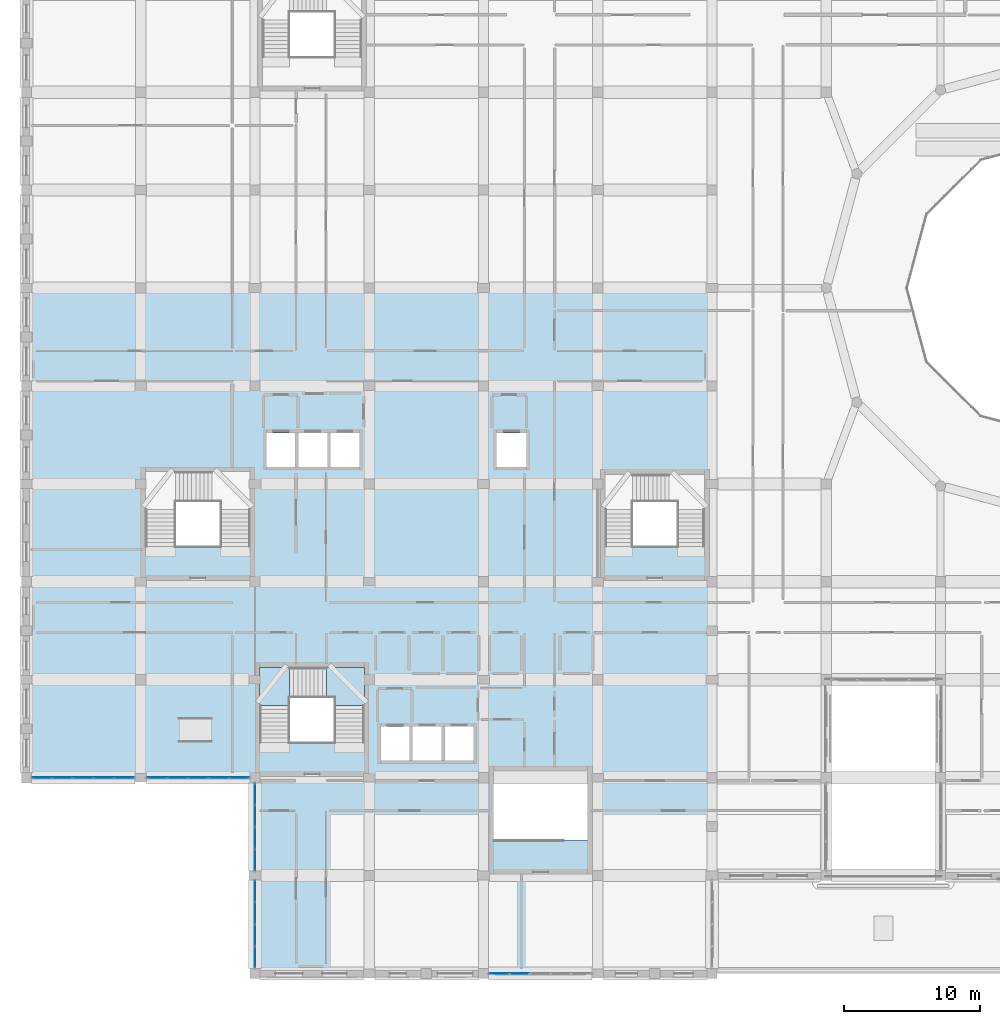
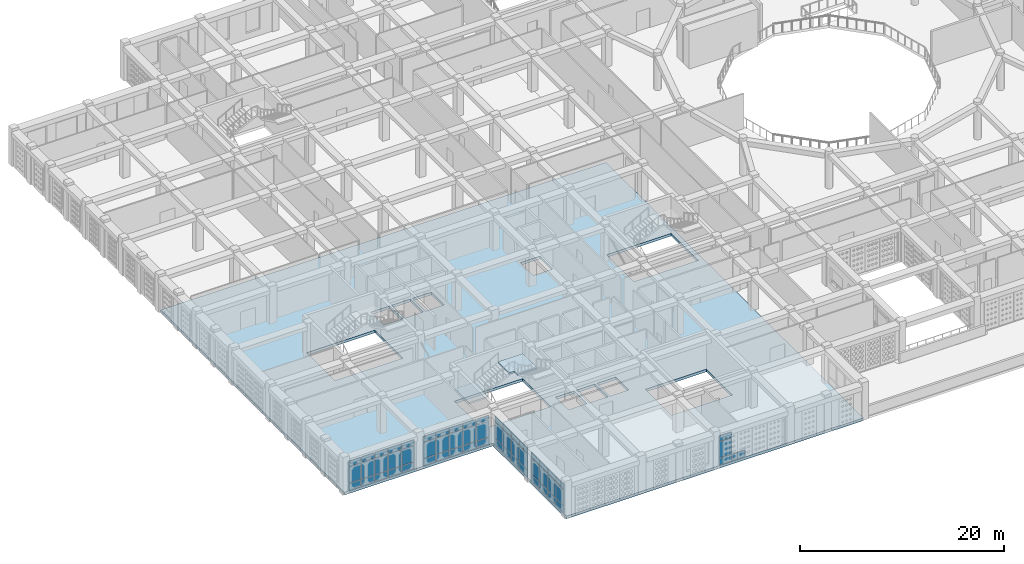
# One storey, part 49 of 111: 58 plates, 3 slabs, 6 elements without a shape of their own.
"""IFC4 building model written with IfcOpenShell, lengths in metres."""

from ifc_helpers import new_model, si_unit, derived_unit, direction, frame, origin, origin_2d, place, context, subcontext, project, spatial, polyline, rectangle, outline, extrude, material, layer, layer_set, type_object, element, aggregate, save


model = new_model("IFC4")

# Units and contexts
model_context = context("Model", 3, precision=1e-05, world=origin(), true_north=direction((0.0, 1.0)))
body_context = subcontext(model_context, "Body", "Model", "MODEL_VIEW")
ifc_project = project(units=[si_unit("LENGTHUNIT", "METRE"), si_unit("AREAUNIT", "SQUARE_METRE"), si_unit("VOLUMEUNIT", "CUBIC_METRE"), si_unit("PLANEANGLEUNIT", "RADIAN"), si_unit("MASSUNIT", "GRAM", prefix="KILO"), derived_unit("THERMALTRANSMITTANCEUNIT", [(si_unit("POWERUNIT", "WATT"), 1), (si_unit("LENGTHUNIT", "METRE"), -2), (si_unit("THERMODYNAMICTEMPERATUREUNIT", "KELVIN"), -1)])], contexts=[model_context])

# Site, building, storey
site_placement = place(None, origin())
site = spatial("IfcSite", under=ifc_project, at=site_placement, CompositionType="ELEMENT")
building_placement = place(site_placement, origin())
building = spatial("IfcBuilding", under=site, at=building_placement, Name="Veybourne Emporium", CompositionType="ELEMENT")
storey_placement = place(building_placement, frame((0.0, 0.0, 9.89990234375)))
storey = spatial("IfcBuildingStorey", under=building, at=storey_placement, Name="L02", CompositionType="ELEMENT", Elevation=9.89990234375)

# Curtain wall, plates
ifc_material_1 = material(Name="Patinated Architectural Bronze", Category="bronze")
curtain_wall_type_1 = type_object("IfcCurtainWallType", Name="CWSystem_CWS-06", PredefinedType="NOTDEFINED", material=ifc_material_1)
curtain_wall_1_placement = place(storey_placement, origin())
curtain_wall_1 = element("IfcCurtainWall", 1, at=curtain_wall_1_placement, inside=storey, type_object=curtain_wall_type_1, Name="L02 bronze glazed curtain wall CWS-06 (001)", PredefinedType="NOTDEFINED")
ifc_material_2 = material(Name="Low-E Triple Glazing", Category="glass")
ifc_layer_1 = layer(ifc_material_2, 0.028076171875)
ifc_layer_set_1 = layer_set([ifc_layer_1], Name="Low-E Triple Glazing")
plate_type = type_object("IfcPlateType", Name="CWPanel_CW-P1", PredefinedType="CURTAIN_PANEL", material=ifc_layer_set_1)
plate_1_placement = place(storey_placement, frame((7.1962890625, 14.39990234375, 0.074951171875), z_axis=(0.0, 0.0, 1.0), x_axis=(-1.0, 0.0, 0.0)))
plate_1 = element("IfcPlate", 2, at=plate_1_placement, type_object=plate_type, Name="CWS-06 panel 1.1", PredefinedType="CURTAIN_PANEL", context=body_context, shape_type="SweptSolid", body=[
    extrude(rectangle(XDim=1.407470703125, YDim=0.028076171875, at=origin_2d()), origin(), (0.0, 0.0, 1.0), 0.78759765625),
])
plate_2_placement = place(storey_placement, frame((7.1962890625, 14.39990234375, 0.9375), z_axis=(0.0, 0.0, 1.0), x_axis=(-1.0, 0.0, 0.0)))
plate_2 = element("IfcPlate", 3, at=plate_2_placement, type_object=plate_type, Name="CWS-06 panel 1.2", PredefinedType="CURTAIN_PANEL", context=body_context, shape_type="SweptSolid", body=[
    extrude(rectangle(XDim=1.407470703125, YDim=0.028076171875, at=origin_2d()), origin(), (0.0, 0.0, 1.0), 1.905029296875),
])
plate_3_placement = place(storey_placement, frame((7.1962890625, 14.39990234375, 2.91748046875), z_axis=(0.0, 0.0, 1.0), x_axis=(-1.0, 0.0, 0.0)))
plate_3 = element("IfcPlate", 4, at=plate_3_placement, type_object=plate_type, Name="CWS-06 panel 1.3", PredefinedType="CURTAIN_PANEL", context=body_context, shape_type="SweptSolid", body=[
    extrude(rectangle(XDim=1.407470703125, YDim=0.028076171875, at=origin_2d()), origin(), (0.0, 0.0, 1.0), 0.637451171875),
])
plate_4_placement = place(storey_placement, frame((5.695068359375, 14.39990234375, 0.074951171875), z_axis=(0.0, 0.0, 1.0), x_axis=(-1.0, 0.0, 0.0)))
plate_4 = element("IfcPlate", 5, at=plate_4_placement, type_object=plate_type, Name="CWS-06 panel 2.1", PredefinedType="CURTAIN_PANEL", context=body_context, shape_type="SweptSolid", body=[
    extrude(rectangle(XDim=1.445068359375, YDim=0.028076171875, at=origin_2d()), origin(), (0.0, 0.0, 1.0), 0.78759765625),
])
plate_5_placement = place(storey_placement, frame((5.695068359375, 14.39990234375, 0.9375), z_axis=(0.0, 0.0, 1.0), x_axis=(-1.0, 0.0, 0.0)))
plate_5 = element("IfcPlate", 6, at=plate_5_placement, type_object=plate_type, Name="CWS-06 panel 2.2", PredefinedType="CURTAIN_PANEL", context=body_context, shape_type="SweptSolid", body=[
    extrude(rectangle(XDim=1.445068359375, YDim=0.028076171875, at=origin_2d()), origin(), (0.0, 0.0, 1.0), 1.905029296875),
])
plate_6_placement = place(storey_placement, frame((5.695068359375, 14.39990234375, 2.91748046875), z_axis=(0.0, 0.0, 1.0), x_axis=(-1.0, 0.0, 0.0)))
plate_6 = element("IfcPlate", 7, at=plate_6_placement, type_object=plate_type, Name="CWS-06 panel 2.3", PredefinedType="CURTAIN_PANEL", context=body_context, shape_type="SweptSolid", body=[
    extrude(rectangle(XDim=1.445068359375, YDim=0.028076171875, at=origin_2d()), origin(), (0.0, 0.0, 1.0), 0.637451171875),
])
plate_7_placement = place(storey_placement, frame((4.175048828125, 14.39990234375, 0.074951171875), z_axis=(0.0, 0.0, 1.0), x_axis=(-1.0, 0.0, 0.0)))
plate_7 = element("IfcPlate", 8, at=plate_7_placement, type_object=plate_type, Name="CWS-06 panel 3.1", PredefinedType="CURTAIN_PANEL", context=body_context, shape_type="SweptSolid", body=[
    extrude(rectangle(XDim=1.445068359375, YDim=0.028076171875, at=origin_2d()), origin(), (0.0, 0.0, 1.0), 0.78759765625),
])
plate_8_placement = place(storey_placement, frame((4.175048828125, 14.39990234375, 0.9375), z_axis=(0.0, 0.0, 1.0), x_axis=(-1.0, 0.0, 0.0)))
plate_8 = element("IfcPlate", 9, at=plate_8_placement, type_object=plate_type, Name="CWS-06 panel 3.2", PredefinedType="CURTAIN_PANEL", context=body_context, shape_type="SweptSolid", body=[
    extrude(rectangle(XDim=1.445068359375, YDim=0.028076171875, at=origin_2d()), origin(), (0.0, 0.0, 1.0), 1.905029296875),
])
plate_9_placement = place(storey_placement, frame((4.175048828125, 14.39990234375, 2.91748046875), z_axis=(0.0, 0.0, 1.0), x_axis=(-1.0, 0.0, 0.0)))
plate_9 = element("IfcPlate", 10, at=plate_9_placement, type_object=plate_type, Name="CWS-06 panel 3.3", PredefinedType="CURTAIN_PANEL", context=body_context, shape_type="SweptSolid", body=[
    extrude(rectangle(XDim=1.445068359375, YDim=0.028076171875, at=origin_2d()), origin(), (0.0, 0.0, 1.0), 0.637451171875),
])
plate_10_placement = place(storey_placement, frame((2.655029296875, 14.39990234375, 0.074951171875), z_axis=(0.0, 0.0, 1.0), x_axis=(-1.0, 0.0, 0.0)))
plate_10 = element("IfcPlate", 11, at=plate_10_placement, type_object=plate_type, Name="CWS-06 panel 4.1", PredefinedType="CURTAIN_PANEL", context=body_context, shape_type="SweptSolid", body=[
    extrude(rectangle(XDim=1.445068359375, YDim=0.028076171875, at=origin_2d()), origin(), (0.0, 0.0, 1.0), 0.78759765625),
])
plate_11_placement = place(storey_placement, frame((2.655029296875, 14.39990234375, 0.9375), z_axis=(0.0, 0.0, 1.0), x_axis=(-1.0, 0.0, 0.0)))
plate_11 = element("IfcPlate", 12, at=plate_11_placement, type_object=plate_type, Name="CWS-06 panel 4.2", PredefinedType="CURTAIN_PANEL", context=body_context, shape_type="SweptSolid", body=[
    extrude(rectangle(XDim=1.445068359375, YDim=0.028076171875, at=origin_2d()), origin(), (0.0, 0.0, 1.0), 1.905029296875),
])
plate_12_placement = place(storey_placement, frame((2.655029296875, 14.39990234375, 2.91748046875), z_axis=(0.0, 0.0, 1.0), x_axis=(-1.0, 0.0, 0.0)))
plate_12 = element("IfcPlate", 13, at=plate_12_placement, type_object=plate_type, Name="CWS-06 panel 4.3", PredefinedType="CURTAIN_PANEL", context=body_context, shape_type="SweptSolid", body=[
    extrude(rectangle(XDim=1.445068359375, YDim=0.028076171875, at=origin_2d()), origin(), (0.0, 0.0, 1.0), 0.637451171875),
])
plate_13_placement = place(storey_placement, frame((1.15380859375, 14.39990234375, 0.074951171875), z_axis=(0.0, 0.0, 1.0), x_axis=(-1.0, 0.0, 0.0)))
plate_13 = element("IfcPlate", 14, at=plate_13_placement, type_object=plate_type, Name="CWS-06 panel 5.1", PredefinedType="CURTAIN_PANEL", context=body_context, shape_type="SweptSolid", body=[
    extrude(rectangle(XDim=1.407470703125, YDim=0.028076171875, at=origin_2d()), origin(), (0.0, 0.0, 1.0), 0.78759765625),
])
plate_14_placement = place(storey_placement, frame((1.15380859375, 14.39990234375, 0.9375), z_axis=(0.0, 0.0, 1.0), x_axis=(-1.0, 0.0, 0.0)))
plate_14 = element("IfcPlate", 15, at=plate_14_placement, type_object=plate_type, Name="CWS-06 panel 5.2", PredefinedType="CURTAIN_PANEL", context=body_context, shape_type="SweptSolid", body=[
    extrude(rectangle(XDim=1.407470703125, YDim=0.028076171875, at=origin_2d()), origin(), (0.0, 0.0, 1.0), 1.905029296875),
])
plate_15_placement = place(storey_placement, frame((1.15380859375, 14.39990234375, 2.91748046875), z_axis=(0.0, 0.0, 1.0), x_axis=(-1.0, 0.0, 0.0)))
plate_15 = element("IfcPlate", 16, at=plate_15_placement, type_object=plate_type, Name="CWS-06 panel 5.3", PredefinedType="CURTAIN_PANEL", context=body_context, shape_type="SweptSolid", body=[
    extrude(rectangle(XDim=1.407470703125, YDim=0.028076171875, at=origin_2d()), origin(), (0.0, 0.0, 1.0), 0.637451171875),
])
aggregate(curtain_wall_1, [plate_1, plate_2, plate_3, plate_4, plate_5, plate_6, plate_7, plate_8, plate_9, plate_10, plate_11, plate_12, plate_13, plate_14, plate_15])

curtain_wall_type_2 = type_object("IfcCurtainWallType", Name="CWSystem_CWS-07", PredefinedType="NOTDEFINED", material=ifc_material_1)
curtain_wall_2_placement = place(storey_placement, origin())
curtain_wall_2 = element("IfcCurtainWall", 17, at=curtain_wall_2_placement, inside=storey, type_object=curtain_wall_type_2, Name="L02 bronze glazed curtain wall CWS-07 (012)", PredefinedType="NOTDEFINED")
plate_16_placement = place(storey_placement, frame((15.6455078125, 14.39990234375, 0.078125), z_axis=(0.0, 0.0, 1.0), x_axis=(-1.0, 0.0, 0.0)))
plate_16 = element("IfcPlate", 18, at=plate_16_placement, type_object=plate_type, Name="CWS-07 panel 1.1", PredefinedType="CURTAIN_PANEL", context=body_context, shape_type="SweptSolid", body=[
    extrude(rectangle(XDim=1.403076171875, YDim=0.028076171875, at=origin_2d()), origin(), (0.0, 0.0, 1.0), 0.782958984375),
])
plate_17_placement = place(storey_placement, frame((15.6455078125, 14.39990234375, 0.93896484375), z_axis=(0.0, 0.0, 1.0), x_axis=(-1.0, 0.0, 0.0)))
plate_17 = element("IfcPlate", 19, at=plate_17_placement, type_object=plate_type, Name="CWS-07 panel 1.2", PredefinedType="CURTAIN_PANEL", context=body_context, shape_type="SweptSolid", body=[
    extrude(rectangle(XDim=1.403076171875, YDim=0.028076171875, at=origin_2d()), origin(), (0.0, 0.0, 1.0), 1.902099609375),
])
plate_18_placement = place(storey_placement, frame((15.6455078125, 14.39990234375, 2.9189453125), z_axis=(0.0, 0.0, 1.0), x_axis=(-1.0, 0.0, 0.0)))
plate_18 = element("IfcPlate", 20, at=plate_18_placement, type_object=plate_type, Name="CWS-07 panel 1.3", PredefinedType="CURTAIN_PANEL", context=body_context, shape_type="SweptSolid", body=[
    extrude(rectangle(XDim=1.403076171875, YDim=0.028076171875, at=origin_2d()), origin(), (0.0, 0.0, 1.0), 0.633056640625),
])
plate_19_placement = place(storey_placement, frame((14.14501953125, 14.39990234375, 0.078125), z_axis=(0.0, 0.0, 1.0), x_axis=(-1.0, 0.0, 0.0)))
plate_19 = element("IfcPlate", 21, at=plate_19_placement, type_object=plate_type, Name="CWS-07 panel 2.1", PredefinedType="CURTAIN_PANEL", context=body_context, shape_type="SweptSolid", body=[
    extrude(rectangle(XDim=1.44189453125, YDim=0.028076171875, at=origin_2d()), origin(), (0.0, 0.0, 1.0), 0.782958984375),
])
plate_20_placement = place(storey_placement, frame((14.14501953125, 14.39990234375, 0.93896484375), z_axis=(0.0, 0.0, 1.0), x_axis=(-1.0, 0.0, 0.0)))
plate_20 = element("IfcPlate", 22, at=plate_20_placement, type_object=plate_type, Name="CWS-07 panel 2.2", PredefinedType="CURTAIN_PANEL", context=body_context, shape_type="SweptSolid", body=[
    extrude(rectangle(XDim=1.44189453125, YDim=0.028076171875, at=origin_2d()), origin(), (0.0, 0.0, 1.0), 1.902099609375),
])
plate_21_placement = place(storey_placement, frame((14.14501953125, 14.39990234375, 2.9189453125), z_axis=(0.0, 0.0, 1.0), x_axis=(-1.0, 0.0, 0.0)))
plate_21 = element("IfcPlate", 23, at=plate_21_placement, type_object=plate_type, Name="CWS-07 panel 2.3", PredefinedType="CURTAIN_PANEL", context=body_context, shape_type="SweptSolid", body=[
    extrude(rectangle(XDim=1.44189453125, YDim=0.028076171875, at=origin_2d()), origin(), (0.0, 0.0, 1.0), 0.633056640625),
])
plate_22_placement = place(storey_placement, frame((12.625, 14.39990234375, 0.078125), z_axis=(0.0, 0.0, 1.0), x_axis=(-1.0, 0.0, 0.0)))
plate_22 = element("IfcPlate", 24, at=plate_22_placement, type_object=plate_type, Name="CWS-07 panel 3.1", PredefinedType="CURTAIN_PANEL", context=body_context, shape_type="SweptSolid", body=[
    extrude(rectangle(XDim=1.44189453125, YDim=0.028076171875, at=origin_2d()), origin(), (0.0, 0.0, 1.0), 0.782958984375),
])
plate_23_placement = place(storey_placement, frame((12.625, 14.39990234375, 0.93896484375), z_axis=(0.0, 0.0, 1.0), x_axis=(-1.0, 0.0, 0.0)))
plate_23 = element("IfcPlate", 25, at=plate_23_placement, type_object=plate_type, Name="CWS-07 panel 3.2", PredefinedType="CURTAIN_PANEL", context=body_context, shape_type="SweptSolid", body=[
    extrude(rectangle(XDim=1.44189453125, YDim=0.028076171875, at=origin_2d()), origin(), (0.0, 0.0, 1.0), 1.902099609375),
])
plate_24_placement = place(storey_placement, frame((12.625, 14.39990234375, 2.9189453125), z_axis=(0.0, 0.0, 1.0), x_axis=(-1.0, 0.0, 0.0)))
plate_24 = element("IfcPlate", 26, at=plate_24_placement, type_object=plate_type, Name="CWS-07 panel 3.3", PredefinedType="CURTAIN_PANEL", context=body_context, shape_type="SweptSolid", body=[
    extrude(rectangle(XDim=1.44189453125, YDim=0.028076171875, at=origin_2d()), origin(), (0.0, 0.0, 1.0), 0.633056640625),
])
plate_25_placement = place(storey_placement, frame((11.10498046875, 14.39990234375, 0.078125), z_axis=(0.0, 0.0, 1.0), x_axis=(-1.0, 0.0, 0.0)))
plate_25 = element("IfcPlate", 27, at=plate_25_placement, type_object=plate_type, Name="CWS-07 panel 4.1", PredefinedType="CURTAIN_PANEL", context=body_context, shape_type="SweptSolid", body=[
    extrude(rectangle(XDim=1.44189453125, YDim=0.028076171875, at=origin_2d()), origin(), (0.0, 0.0, 1.0), 0.782958984375),
])
plate_26_placement = place(storey_placement, frame((11.10498046875, 14.39990234375, 0.93896484375), z_axis=(0.0, 0.0, 1.0), x_axis=(-1.0, 0.0, 0.0)))
plate_26 = element("IfcPlate", 28, at=plate_26_placement, type_object=plate_type, Name="CWS-07 panel 4.2", PredefinedType="CURTAIN_PANEL", context=body_context, shape_type="SweptSolid", body=[
    extrude(rectangle(XDim=1.44189453125, YDim=0.028076171875, at=origin_2d()), origin(), (0.0, 0.0, 1.0), 1.902099609375),
])
plate_27_placement = place(storey_placement, frame((11.10498046875, 14.39990234375, 2.9189453125), z_axis=(0.0, 0.0, 1.0), x_axis=(-1.0, 0.0, 0.0)))
plate_27 = element("IfcPlate", 29, at=plate_27_placement, type_object=plate_type, Name="CWS-07 panel 4.3", PredefinedType="CURTAIN_PANEL", context=body_context, shape_type="SweptSolid", body=[
    extrude(rectangle(XDim=1.44189453125, YDim=0.028076171875, at=origin_2d()), origin(), (0.0, 0.0, 1.0), 0.633056640625),
])
plate_28_placement = place(storey_placement, frame((9.6044921875, 14.39990234375, 0.078125), z_axis=(0.0, 0.0, 1.0), x_axis=(-1.0, 0.0, 0.0)))
plate_28 = element("IfcPlate", 30, at=plate_28_placement, type_object=plate_type, Name="CWS-07 panel 5.1", PredefinedType="CURTAIN_PANEL", context=body_context, shape_type="SweptSolid", body=[
    extrude(rectangle(XDim=1.403076171875, YDim=0.028076171875, at=origin_2d()), origin(), (0.0, 0.0, 1.0), 0.782958984375),
])
plate_29_placement = place(storey_placement, frame((9.6044921875, 14.39990234375, 0.93896484375), z_axis=(0.0, 0.0, 1.0), x_axis=(-1.0, 0.0, 0.0)))
plate_29 = element("IfcPlate", 31, at=plate_29_placement, type_object=plate_type, Name="CWS-07 panel 5.2", PredefinedType="CURTAIN_PANEL", context=body_context, shape_type="SweptSolid", body=[
    extrude(rectangle(XDim=1.403076171875, YDim=0.028076171875, at=origin_2d()), origin(), (0.0, 0.0, 1.0), 1.902099609375),
])
plate_30_placement = place(storey_placement, frame((9.6044921875, 14.39990234375, 2.9189453125), z_axis=(0.0, 0.0, 1.0), x_axis=(-1.0, 0.0, 0.0)))
plate_30 = element("IfcPlate", 32, at=plate_30_placement, type_object=plate_type, Name="CWS-07 panel 5.3", PredefinedType="CURTAIN_PANEL", context=body_context, shape_type="SweptSolid", body=[
    extrude(rectangle(XDim=1.403076171875, YDim=0.028076171875, at=origin_2d()), origin(), (0.0, 0.0, 1.0), 0.633056640625),
])
aggregate(curtain_wall_2, [plate_16, plate_17, plate_18, plate_19, plate_20, plate_21, plate_22, plate_23, plate_24, plate_25, plate_26, plate_27, plate_28, plate_29, plate_30])

curtain_wall_type_3 = type_object("IfcCurtainWallType", Name="CWSystem_CWS-08", PredefinedType="NOTDEFINED", material=ifc_material_1)
curtain_wall_3_placement = place(storey_placement, origin())
curtain_wall_3 = element("IfcCurtainWall", 33, at=curtain_wall_3_placement, inside=storey, type_object=curtain_wall_type_3, Name="L02 bronze glazed curtain wall CWS-08 (015)", PredefinedType="NOTDEFINED")
plate_31_placement = place(storey_placement, frame((16.800048828125, 1.205078125, 0.070068359375), z_axis=(0.0, 0.0, 1.0), x_axis=(0.0, 1.0, 0.0)))
plate_31 = element("IfcPlate", 34, at=plate_31_placement, type_object=plate_type, Name="CWS-08 panel 1.1", PredefinedType="CURTAIN_PANEL", context=body_context, shape_type="SweptSolid", body=[
    extrude(rectangle(XDim=1.52001953125, YDim=0.028076171875, at=origin_2d()), origin(), (0.0, 0.0, 1.0), 0.794921875),
])
plate_32_placement = place(storey_placement, frame((16.800048828125, 1.205078125, 0.93505859375), z_axis=(0.0, 0.0, 1.0), x_axis=(0.0, 1.0, 0.0)))
plate_32 = element("IfcPlate", 35, at=plate_32_placement, type_object=plate_type, Name="CWS-08 panel 1.2", PredefinedType="CURTAIN_PANEL", context=body_context, shape_type="SweptSolid", body=[
    extrude(rectangle(XDim=1.52001953125, YDim=0.028076171875, at=origin_2d()), origin(), (0.0, 0.0, 1.0), 1.909912109375),
])
plate_33_placement = place(storey_placement, frame((16.800048828125, 1.205078125, 2.9150390625), z_axis=(0.0, 0.0, 1.0), x_axis=(0.0, 1.0, 0.0)))
plate_33 = element("IfcPlate", 36, at=plate_33_placement, type_object=plate_type, Name="CWS-08 panel 1.3", PredefinedType="CURTAIN_PANEL", context=body_context, shape_type="SweptSolid", body=[
    extrude(rectangle(XDim=1.52001953125, YDim=0.028076171875, at=origin_2d()), origin(), (0.0, 0.0, 1.0), 0.64501953125),
])
plate_34_placement = place(storey_placement, frame((16.800048828125, 2.8125, 0.070068359375), z_axis=(0.0, 0.0, 1.0), x_axis=(0.0, 1.0, 0.0)))
plate_34 = element("IfcPlate", 37, at=plate_34_placement, type_object=plate_type, Name="CWS-08 panel 2.1", PredefinedType="CURTAIN_PANEL", context=body_context, shape_type="SweptSolid", body=[
    extrude(rectangle(XDim=1.554931640625, YDim=0.028076171875, at=origin_2d()), origin(), (0.0, 0.0, 1.0), 0.794921875),
])
plate_35_placement = place(storey_placement, frame((16.800048828125, 2.8125, 0.93505859375), z_axis=(0.0, 0.0, 1.0), x_axis=(0.0, 1.0, 0.0)))
plate_35 = element("IfcPlate", 38, at=plate_35_placement, type_object=plate_type, Name="CWS-08 panel 2.2", PredefinedType="CURTAIN_PANEL", context=body_context, shape_type="SweptSolid", body=[
    extrude(rectangle(XDim=1.554931640625, YDim=0.028076171875, at=origin_2d()), origin(), (0.0, 0.0, 1.0), 1.909912109375),
])
plate_36_placement = place(storey_placement, frame((16.800048828125, 2.8125, 2.9150390625), z_axis=(0.0, 0.0, 1.0), x_axis=(0.0, 1.0, 0.0)))
plate_36 = element("IfcPlate", 39, at=plate_36_placement, type_object=plate_type, Name="CWS-08 panel 2.3", PredefinedType="CURTAIN_PANEL", context=body_context, shape_type="SweptSolid", body=[
    extrude(rectangle(XDim=1.554931640625, YDim=0.028076171875, at=origin_2d()), origin(), (0.0, 0.0, 1.0), 0.64501953125),
])
plate_37_placement = place(storey_placement, frame((16.800048828125, 4.4375, 0.070068359375), z_axis=(0.0, 0.0, 1.0), x_axis=(0.0, 1.0, 0.0)))
plate_37 = element("IfcPlate", 40, at=plate_37_placement, type_object=plate_type, Name="CWS-08 panel 3.1", PredefinedType="CURTAIN_PANEL", context=body_context, shape_type="SweptSolid", body=[
    extrude(rectangle(XDim=1.554931640625, YDim=0.028076171875, at=origin_2d()), origin(), (0.0, 0.0, 1.0), 0.794921875),
])
plate_38_placement = place(storey_placement, frame((16.800048828125, 4.4375, 0.93505859375), z_axis=(0.0, 0.0, 1.0), x_axis=(0.0, 1.0, 0.0)))
plate_38 = element("IfcPlate", 41, at=plate_38_placement, type_object=plate_type, Name="CWS-08 panel 3.2", PredefinedType="CURTAIN_PANEL", context=body_context, shape_type="SweptSolid", body=[
    extrude(rectangle(XDim=1.554931640625, YDim=0.028076171875, at=origin_2d()), origin(), (0.0, 0.0, 1.0), 1.909912109375),
])
plate_39_placement = place(storey_placement, frame((16.800048828125, 4.4375, 2.9150390625), z_axis=(0.0, 0.0, 1.0), x_axis=(0.0, 1.0, 0.0)))
plate_39 = element("IfcPlate", 42, at=plate_39_placement, type_object=plate_type, Name="CWS-08 panel 3.3", PredefinedType="CURTAIN_PANEL", context=body_context, shape_type="SweptSolid", body=[
    extrude(rectangle(XDim=1.554931640625, YDim=0.028076171875, at=origin_2d()), origin(), (0.0, 0.0, 1.0), 0.64501953125),
])
plate_40_placement = place(storey_placement, frame((16.800048828125, 6.044921875, 0.070068359375), z_axis=(0.0, 0.0, 1.0), x_axis=(0.0, 1.0, 0.0)))
plate_40 = element("IfcPlate", 43, at=plate_40_placement, type_object=plate_type, Name="CWS-08 panel 4.1", PredefinedType="CURTAIN_PANEL", context=body_context, shape_type="SweptSolid", body=[
    extrude(rectangle(XDim=1.52001953125, YDim=0.028076171875, at=origin_2d()), origin(), (0.0, 0.0, 1.0), 0.794921875),
])
plate_41_placement = place(storey_placement, frame((16.800048828125, 6.044921875, 0.93505859375), z_axis=(0.0, 0.0, 1.0), x_axis=(0.0, 1.0, 0.0)))
plate_41 = element("IfcPlate", 44, at=plate_41_placement, type_object=plate_type, Name="CWS-08 panel 4.2", PredefinedType="CURTAIN_PANEL", context=body_context, shape_type="SweptSolid", body=[
    extrude(rectangle(XDim=1.52001953125, YDim=0.028076171875, at=origin_2d()), origin(), (0.0, 0.0, 1.0), 1.909912109375),
])
plate_42_placement = place(storey_placement, frame((16.800048828125, 6.044921875, 2.9150390625), z_axis=(0.0, 0.0, 1.0), x_axis=(0.0, 1.0, 0.0)))
plate_42 = element("IfcPlate", 45, at=plate_42_placement, type_object=plate_type, Name="CWS-08 panel 4.3", PredefinedType="CURTAIN_PANEL", context=body_context, shape_type="SweptSolid", body=[
    extrude(rectangle(XDim=1.52001953125, YDim=0.028076171875, at=origin_2d()), origin(), (0.0, 0.0, 1.0), 0.64501953125),
])
aggregate(curtain_wall_3, [plate_31, plate_32, plate_33, plate_34, plate_35, plate_36, plate_37, plate_38, plate_39, plate_40, plate_41, plate_42])

curtain_wall_type_4 = type_object("IfcCurtainWallType", Name="CWSystem_CWS-09", PredefinedType="NOTDEFINED", material=ifc_material_1)
curtain_wall_4_placement = place(storey_placement, origin())
curtain_wall_4 = element("IfcCurtainWall", 46, at=curtain_wall_4_placement, inside=storey, type_object=curtain_wall_type_4, Name="L02 bronze glazed curtain wall CWS-09 (016)", PredefinedType="NOTDEFINED")
plate_43_placement = place(storey_placement, frame((16.800048828125, 8.35546875, 0.072021484375), z_axis=(0.0, 0.0, 1.0), x_axis=(0.0, 1.0, 0.0)))
plate_43 = element("IfcPlate", 47, at=plate_43_placement, type_object=plate_type, Name="CWS-09 panel 1.1", PredefinedType="CURTAIN_PANEL", context=body_context, shape_type="SweptSolid", body=[
    extrude(rectangle(XDim=1.51708984375, YDim=0.028076171875, at=origin_2d()), origin(), (0.0, 0.0, 1.0), 0.7919921875),
])
plate_44_placement = place(storey_placement, frame((16.800048828125, 8.35546875, 0.93603515625), z_axis=(0.0, 0.0, 1.0), x_axis=(0.0, 1.0, 0.0)))
plate_44 = element("IfcPlate", 48, at=plate_44_placement, type_object=plate_type, Name="CWS-09 panel 1.2", PredefinedType="CURTAIN_PANEL", context=body_context, shape_type="SweptSolid", body=[
    extrude(rectangle(XDim=1.51708984375, YDim=0.028076171875, at=origin_2d()), origin(), (0.0, 0.0, 1.0), 1.907958984375),
])
plate_45_placement = place(storey_placement, frame((16.800048828125, 8.35546875, 2.916015625), z_axis=(0.0, 0.0, 1.0), x_axis=(0.0, 1.0, 0.0)))
plate_45 = element("IfcPlate", 49, at=plate_45_placement, type_object=plate_type, Name="CWS-09 panel 1.3", PredefinedType="CURTAIN_PANEL", context=body_context, shape_type="SweptSolid", body=[
    extrude(rectangle(XDim=1.51708984375, YDim=0.028076171875, at=origin_2d()), origin(), (0.0, 0.0, 1.0), 0.64208984375),
])
plate_46_placement = place(storey_placement, frame((16.800048828125, 9.96240234375, 0.072021484375), z_axis=(0.0, 0.0, 1.0), x_axis=(0.0, 1.0, 0.0)))
plate_46 = element("IfcPlate", 50, at=plate_46_placement, type_object=plate_type, Name="CWS-09 panel 2.1", PredefinedType="CURTAIN_PANEL", context=body_context, shape_type="SweptSolid", body=[
    extrude(rectangle(XDim=1.552978515625, YDim=0.028076171875, at=origin_2d()), origin(), (0.0, 0.0, 1.0), 0.7919921875),
])
plate_47_placement = place(storey_placement, frame((16.800048828125, 9.96240234375, 0.93603515625), z_axis=(0.0, 0.0, 1.0), x_axis=(0.0, 1.0, 0.0)))
plate_47 = element("IfcPlate", 51, at=plate_47_placement, type_object=plate_type, Name="CWS-09 panel 2.2", PredefinedType="CURTAIN_PANEL", context=body_context, shape_type="SweptSolid", body=[
    extrude(rectangle(XDim=1.552978515625, YDim=0.028076171875, at=origin_2d()), origin(), (0.0, 0.0, 1.0), 1.907958984375),
])
plate_48_placement = place(storey_placement, frame((16.800048828125, 9.96240234375, 2.916015625), z_axis=(0.0, 0.0, 1.0), x_axis=(0.0, 1.0, 0.0)))
plate_48 = element("IfcPlate", 52, at=plate_48_placement, type_object=plate_type, Name="CWS-09 panel 2.3", PredefinedType="CURTAIN_PANEL", context=body_context, shape_type="SweptSolid", body=[
    extrude(rectangle(XDim=1.552978515625, YDim=0.028076171875, at=origin_2d()), origin(), (0.0, 0.0, 1.0), 0.64208984375),
])
plate_49_placement = place(storey_placement, frame((16.800048828125, 11.58740234375, 0.072021484375), z_axis=(0.0, 0.0, 1.0), x_axis=(0.0, 1.0, 0.0)))
plate_49 = element("IfcPlate", 53, at=plate_49_placement, type_object=plate_type, Name="CWS-09 panel 3.1", PredefinedType="CURTAIN_PANEL", context=body_context, shape_type="SweptSolid", body=[
    extrude(rectangle(XDim=1.552978515625, YDim=0.028076171875, at=origin_2d()), origin(), (0.0, 0.0, 1.0), 0.7919921875),
])
plate_50_placement = place(storey_placement, frame((16.800048828125, 11.58740234375, 0.93603515625), z_axis=(0.0, 0.0, 1.0), x_axis=(0.0, 1.0, 0.0)))
plate_50 = element("IfcPlate", 54, at=plate_50_placement, type_object=plate_type, Name="CWS-09 panel 3.2", PredefinedType="CURTAIN_PANEL", context=body_context, shape_type="SweptSolid", body=[
    extrude(rectangle(XDim=1.552978515625, YDim=0.028076171875, at=origin_2d()), origin(), (0.0, 0.0, 1.0), 1.907958984375),
])
plate_51_placement = place(storey_placement, frame((16.800048828125, 11.58740234375, 2.916015625), z_axis=(0.0, 0.0, 1.0), x_axis=(0.0, 1.0, 0.0)))
plate_51 = element("IfcPlate", 55, at=plate_51_placement, type_object=plate_type, Name="CWS-09 panel 3.3", PredefinedType="CURTAIN_PANEL", context=body_context, shape_type="SweptSolid", body=[
    extrude(rectangle(XDim=1.552978515625, YDim=0.028076171875, at=origin_2d()), origin(), (0.0, 0.0, 1.0), 0.64208984375),
])
plate_52_placement = place(storey_placement, frame((16.800048828125, 13.194580078125, 0.072021484375), z_axis=(0.0, 0.0, 1.0), x_axis=(0.0, 1.0, 0.0)))
plate_52 = element("IfcPlate", 56, at=plate_52_placement, type_object=plate_type, Name="CWS-09 panel 4.1", PredefinedType="CURTAIN_PANEL", context=body_context, shape_type="SweptSolid", body=[
    extrude(rectangle(XDim=1.51708984375, YDim=0.028076171875, at=origin_2d()), origin(), (0.0, 0.0, 1.0), 0.7919921875),
])
plate_53_placement = place(storey_placement, frame((16.800048828125, 13.194580078125, 0.93603515625), z_axis=(0.0, 0.0, 1.0), x_axis=(0.0, 1.0, 0.0)))
plate_53 = element("IfcPlate", 57, at=plate_53_placement, type_object=plate_type, Name="CWS-09 panel 4.2", PredefinedType="CURTAIN_PANEL", context=body_context, shape_type="SweptSolid", body=[
    extrude(rectangle(XDim=1.51708984375, YDim=0.028076171875, at=origin_2d()), origin(), (0.0, 0.0, 1.0), 1.907958984375),
])
plate_54_placement = place(storey_placement, frame((16.800048828125, 13.194580078125, 2.916015625), z_axis=(0.0, 0.0, 1.0), x_axis=(0.0, 1.0, 0.0)))
plate_54 = element("IfcPlate", 58, at=plate_54_placement, type_object=plate_type, Name="CWS-09 panel 4.3", PredefinedType="CURTAIN_PANEL", context=body_context, shape_type="SweptSolid", body=[
    extrude(rectangle(XDim=1.51708984375, YDim=0.028076171875, at=origin_2d()), origin(), (0.0, 0.0, 1.0), 0.64208984375),
])
aggregate(curtain_wall_4, [plate_43, plate_44, plate_45, plate_46, plate_47, plate_48, plate_49, plate_50, plate_51, plate_52, plate_53, plate_54])

curtain_wall_type_5 = type_object("IfcCurtainWallType", Name="CWSystem_CWS-11", PredefinedType="NOTDEFINED", material=ifc_material_1)
curtain_wall_5_placement = place(storey_placement, origin())
curtain_wall_5 = element("IfcCurtainWall", 59, at=curtain_wall_5_placement, inside=storey, type_object=curtain_wall_type_5, Name="L02 bronze glazed curtain wall CWS-11 (021)", PredefinedType="NOTDEFINED")
plate_55_placement = place(storey_placement, frame((36.2548828125, 0.0, 0.078125), z_axis=(0.0, 0.0, 1.0), x_axis=(-1.0, 0.0, 0.0)))
plate_55 = element("IfcPlate", 60, at=plate_55_placement, type_object=plate_type, Name="CWS-11 panel 4.1", PredefinedType="CURTAIN_PANEL", context=body_context, shape_type="SweptSolid", body=[
    extrude(rectangle(XDim=1.44189453125, YDim=0.028076171875, at=origin_2d()), origin(), (0.0, 0.0, 1.0), 0.782958984375),
])
plate_56_placement = place(storey_placement, frame((34.75439453125, 0.0, 0.078125), z_axis=(0.0, 0.0, 1.0), x_axis=(-1.0, 0.0, 0.0)))
plate_56 = element("IfcPlate", 61, at=plate_56_placement, type_object=plate_type, Name="CWS-11 panel 5.1", PredefinedType="CURTAIN_PANEL", context=body_context, shape_type="SweptSolid", body=[
    extrude(rectangle(XDim=1.403076171875, YDim=0.028076171875, at=origin_2d()), origin(), (0.0, 0.0, 1.0), 0.782958984375),
])
plate_57_placement = place(storey_placement, frame((34.75439453125, 0.0, 0.93896484375), z_axis=(0.0, 0.0, 1.0), x_axis=(-1.0, 0.0, 0.0)))
plate_57 = element("IfcPlate", 62, at=plate_57_placement, type_object=plate_type, Name="CWS-11 panel 5.2", PredefinedType="CURTAIN_PANEL", context=body_context, shape_type="SweptSolid", body=[
    extrude(rectangle(XDim=1.403076171875, YDim=0.028076171875, at=origin_2d()), origin(), (0.0, 0.0, 1.0), 1.902099609375),
])
plate_58_placement = place(storey_placement, frame((34.75439453125, 0.0, 2.9189453125), z_axis=(0.0, 0.0, 1.0), x_axis=(-1.0, 0.0, 0.0)))
plate_58 = element("IfcPlate", 63, at=plate_58_placement, type_object=plate_type, Name="CWS-11 panel 5.3", PredefinedType="CURTAIN_PANEL", context=body_context, shape_type="SweptSolid", body=[
    extrude(rectangle(XDim=1.403076171875, YDim=0.028076171875, at=origin_2d()), origin(), (0.0, 0.0, 1.0), 0.633056640625),
])
aggregate(curtain_wall_5, [plate_55, plate_56, plate_57, plate_58])

# Stair, slabs
ifc_material_3 = material(Name="Concrete C32/40", Category="concrete")
stair_type = type_object("IfcStairType", Name="Stair_ST-01-R30", PredefinedType="TWO_QUARTER_TURN_STAIR", material=ifc_material_3)
stair_placement = place(storey_placement, origin())
stair = element("IfcStair", 64, at=stair_placement, inside=storey, type_object=stair_type, Name="L02 stair ST-01", PredefinedType="TWO_QUARTER_TURN_STAIR")
ifc_layer_2 = layer(ifc_material_3, 0.199951171875)
ifc_layer_set_2 = layer_set([ifc_layer_2], Name="Concrete C32/40")
slab_type_1 = type_object("IfcSlabType", Name="Landing_LDG-01", PredefinedType="LANDING", material=ifc_layer_set_2)
slab_1_placement = place(storey_placement, frame((0.0, 0.0, 1.300048828125)))
slab_1 = element("IfcSlab", 65, at=slab_1_placement, type_object=slab_type_1, Name="ST-01-R30 landing 1", PredefinedType="LANDING", context=body_context, shape_type="SweptSolid", body=[
    extrude(outline(polyline([(17.14990234375, 19.699951171875), (19.35009765625, 19.699951171875), (19.35009765625, 22.5), (17.14990234375, 22.5), (17.14990234375, 19.699951171875)])), origin(), (0.0, 0.0, 1.0), 0.199951171875),
])
slab_2_placement = place(storey_placement, frame((0.0, 0.0, 2.800048828125)))
slab_2 = element("IfcSlab", 66, at=slab_2_placement, type_object=slab_type_1, Name="ST-01-R30 landing 2", PredefinedType="LANDING", context=body_context, shape_type="SweptSolid", body=[
    extrude(outline(polyline([(22.050048828125, 20.300048828125), (22.64990234375, 20.300048828125), (22.64990234375, 19.699951171875), (24.85009765625, 19.699951171875), (24.85009765625, 22.5), (22.050048828125, 22.5), (22.050048828125, 20.300048828125)])), origin(), (0.0, 0.0, 1.0), 0.199951171875),
])
aggregate(stair, [slab_1, slab_2])

# Slab
ifc_layer_3 = layer(ifc_material_3, 0.320068359375)
ifc_layer_set_3 = layer_set([ifc_layer_3], Name="Concrete C32/40")
slab_type_2 = type_object("IfcSlabType", Name="Slab_FS-02", PredefinedType="FLOOR", material=ifc_layer_set_3)
slab_3_placement = place(storey_placement, frame((0.0, 0.0, -0.31982421875)))
element("IfcSlab", 67, at=slab_3_placement, inside=storey, type_object=slab_type_2, Name="L02 floor slab FS-02 (V1.1)", PredefinedType="FLOOR", context=body_context, shape_type="SweptSolid", body=[
    extrude(outline(polyline([(0.0, 14.39990234375), (0.0, 21.60009765625), (0.0, 28.800048828125), (0.0, 36.0), (0.0, 43.199951171875), (0.0, 50.39990234375), (8.39990234375, 50.39990234375), (16.800048828125, 50.39990234375), (25.199951171875, 50.39990234375), (33.60009765625, 50.39990234375), (42.0, 50.39990234375), (50.39990234375, 50.39990234375), (50.39990234375, 43.199951171875), (50.39990234375, 36.0), (50.39990234375, 28.800048828125), (50.39990234375, 21.60009765625), (50.39990234375, 14.39990234375), (50.39990234375, 7.199951171875), (50.39990234375, 0.0), (42.0, 0.0), (33.60009765625, 0.0), (25.199951171875, 0.0), (16.800048828125, 0.0), (16.800048828125, 7.199951171875), (16.800048828125, 14.39990234375), (8.39990234375, 14.39990234375), (0.0, 14.39990234375)]), holes=[polyline([(41.25, 9.800048828125), (41.25, 14.89990234375), (34.35009765625, 14.89990234375), (34.35009765625, 9.800048828125), (41.25, 9.800048828125)]), polyline([(26.06005859375, 15.64990234375), (28.159912109375, 15.64990234375), (28.159912109375, 18.14990234375), (26.06005859375, 18.14990234375), (26.06005859375, 15.64990234375)]), polyline([(28.39990234375, 15.64990234375), (30.52001953125, 15.64990234375), (30.52001953125, 18.14990234375), (28.39990234375, 18.14990234375), (28.39990234375, 15.64990234375)]), polyline([(32.8798828125, 15.64990234375), (32.8798828125, 18.14990234375), (30.760009765625, 18.14990234375), (30.760009765625, 15.64990234375), (32.8798828125, 15.64990234375)]), polyline([(17.14990234375, 17.0), (24.85009765625, 17.0), (24.85009765625, 22.5), (17.14990234375, 22.5), (17.14990234375, 17.0)]), polyline([(42.550048828125, 31.39990234375), (49.85009765625, 31.39990234375), (49.85009765625, 36.699951171875), (42.550048828125, 36.699951171875), (42.550048828125, 31.39990234375)]), polyline([(16.449951171875, 31.39990234375), (16.449951171875, 36.89990234375), (8.75, 36.89990234375), (8.75, 31.39990234375), (16.449951171875, 31.39990234375)]), polyline([(17.659912109375, 37.25), (19.760009765625, 37.25), (19.760009765625, 39.75), (17.659912109375, 39.75), (17.659912109375, 37.25)]), polyline([(20.0, 37.25), (22.1201171875, 37.25), (22.1201171875, 39.75), (20.0, 39.75), (20.0, 37.25)]), polyline([(24.47998046875, 37.25), (24.47998046875, 39.75), (22.360107421875, 39.75), (22.360107421875, 37.25), (24.47998046875, 37.25)]), polyline([(34.56005859375, 37.25), (36.760009765625, 37.25), (36.760009765625, 39.75), (34.56005859375, 39.75), (34.56005859375, 37.25)])]), origin(), (0.0, 0.0, 1.0), 0.31982421875),
])

save(model, "model.ifc")
